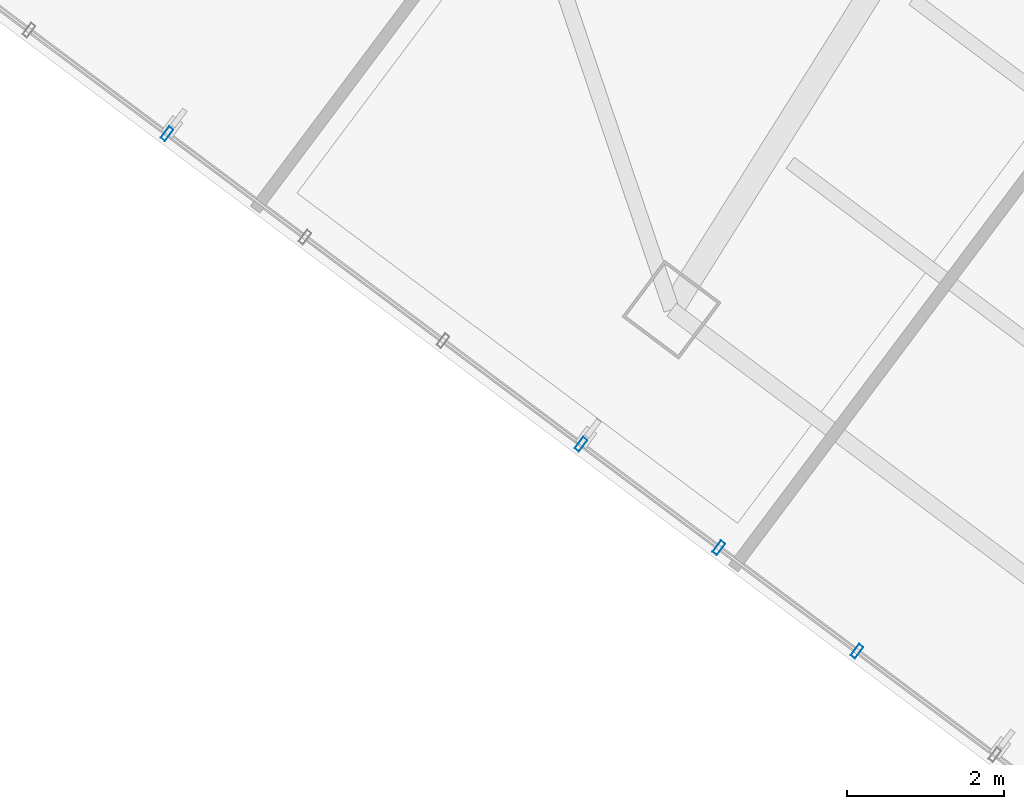
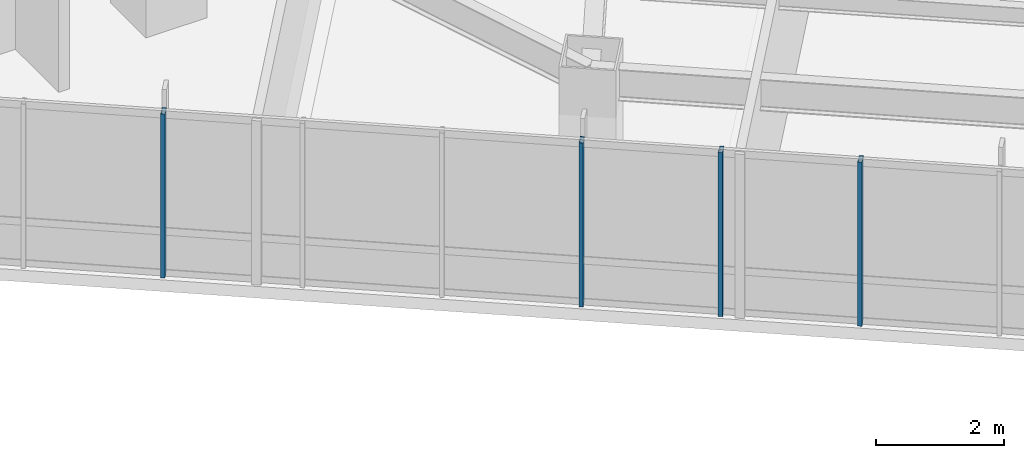
# One storey, part 2 of 36: 4 members, 1 element without a shape of its own.
"""IFC4 building model written with IfcOpenShell, lengths in metres."""

from ifc_helpers import new_model, si_unit, direction, frame, origin, origin_2d, place, context, subcontext, project, spatial, hollow_rectangle, extrude, material, layer, layer_set, material_profile, profile_set, type_object, element, aggregate, save


model = new_model("IFC4")

# Units and contexts
model_context = context("Model", 3, precision=1e-05, world=origin(), true_north=direction((0.0, 1.0)))
body_context = subcontext(model_context, "Body", "Model", "MODEL_VIEW")
ifc_project = project(units=[si_unit("LENGTHUNIT", "METRE"), si_unit("AREAUNIT", "SQUARE_METRE"), si_unit("VOLUMEUNIT", "CUBIC_METRE"), si_unit("PLANEANGLEUNIT", "RADIAN"), si_unit("MASSUNIT", "GRAM", prefix="KILO")], contexts=[model_context])

# Site, building, storey
site_placement = place(None, origin())
site = spatial("IfcSite", under=ifc_project, at=site_placement, CompositionType="ELEMENT")
building_placement = place(site_placement, origin())
building = spatial("IfcBuilding", under=site, at=building_placement, Name="Hatsunagi Terrace Concourse", CompositionType="ELEMENT")
storey_placement = place(building_placement, frame((0.0, 0.0, 84.64990234375)))
storey = spatial("IfcBuildingStorey", under=building, at=storey_placement, Name="L22", CompositionType="ELEMENT", Elevation=84.64990234375)

# Curtain wall, members
ifc_material_1 = material(Name="Anodised Aluminium Alloy 6063-T5", Category="aluminium")
ifc_layer = layer(ifc_material_1, 0.199951171875)
ifc_layer_set = layer_set([ifc_layer], Name="HotelFacade_CW02")
curtain_wall_type = type_object("IfcCurtainWallType", Name="HotelFacade_CW02", PredefinedType="NOTDEFINED", material=ifc_layer_set)
curtain_wall_placement = place(storey_placement, origin())
curtain_wall = element("IfcCurtainWall", 1, at=curtain_wall_placement, inside=storey, type_object=curtain_wall_type, Name="Unitised Curtain Wall CW-02 CW-L22-05", PredefinedType="NOTDEFINED")
ifc_material_2 = material(Name="Anodised Aluminium Alloy 6063-T5", Category="aluminium")
ifc_material_profile = material_profile(ifc_material_2, hollow_rectangle(XDim=0.070068359375, YDim=0.179931640625, WallThickness=0.00390625, at=origin_2d()), Name="ALU-MUL-180x70x4")
ifc_profile_set = profile_set([ifc_material_profile], Name="Anodised Aluminium Alloy 6063-T5")
member_type = type_object("IfcMemberType", Name="CurtainWallMullion_180x70", PredefinedType="MULLION", material=ifc_profile_set)
member_1_placement = place(storey_placement, frame((41.037109375, 11.697998046875, 0.0), z_axis=(0.0, 0.0, 1.0), x_axis=(-0.800003116929, 0.599995844072, 0.0)))
member_1 = element("IfcMember", 2, at=member_1_placement, type_object=member_type, Name="Curtain Wall Mullion MUL-02", PredefinedType="MULLION", context=body_context, shape_type="SweptSolid", body=[
    extrude(hollow_rectangle(XDim=0.070068359375, YDim=0.179931640625, WallThickness=0.00390625, at=origin_2d()), origin(), (0.0, 0.0, 1.0), 3.130126953125),
])
member_2_placement = place(storey_placement, frame((39.281982421875, 13.012939453125, 0.0), z_axis=(0.0, 0.0, 1.0), x_axis=(-0.800003116929, 0.599995844072, 0.0)))
member_2 = element("IfcMember", 3, at=member_2_placement, type_object=member_type, Name="Curtain Wall Mullion MUL-02", PredefinedType="MULLION", context=body_context, shape_type="SweptSolid", body=[
    extrude(hollow_rectangle(XDim=0.070068359375, YDim=0.179931640625, WallThickness=0.00390625, at=origin_2d()), origin(), (0.0, 0.0, 1.0), 3.130126953125),
])
member_3_placement = place(storey_placement, frame((37.528076171875, 14.3291015625, 0.0), z_axis=(0.0, 0.0, 1.0), x_axis=(-0.800003116929, 0.599995844072, 0.0)))
member_3 = element("IfcMember", 4, at=member_3_placement, type_object=member_type, Name="Curtain Wall Mullion MUL-02", PredefinedType="MULLION", context=body_context, shape_type="SweptSolid", body=[
    extrude(hollow_rectangle(XDim=0.070068359375, YDim=0.179931640625, WallThickness=0.00390625, at=origin_2d()), origin(), (0.0, 0.0, 1.0), 3.130126953125),
])
member_4_placement = place(storey_placement, frame((32.264892578125, 18.277099609375, 0.0), z_axis=(0.0, 0.0, 1.0), x_axis=(-0.800003116929, 0.599995844072, 0.0)))
member_4 = element("IfcMember", 5, at=member_4_placement, type_object=member_type, Name="Curtain Wall Mullion MUL-02", PredefinedType="MULLION", context=body_context, shape_type="SweptSolid", body=[
    extrude(hollow_rectangle(XDim=0.070068359375, YDim=0.179931640625, WallThickness=0.00390625, at=origin_2d()), origin(), (0.0, 0.0, 1.0), 3.130126953125),
])
aggregate(curtain_wall, [member_1, member_2, member_3, member_4])

save(model, "model.ifc")
